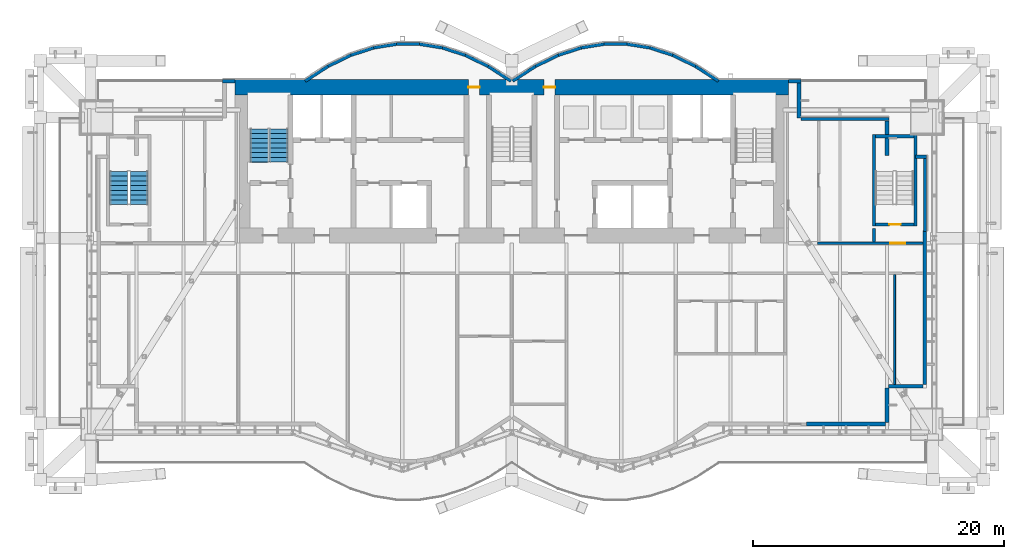
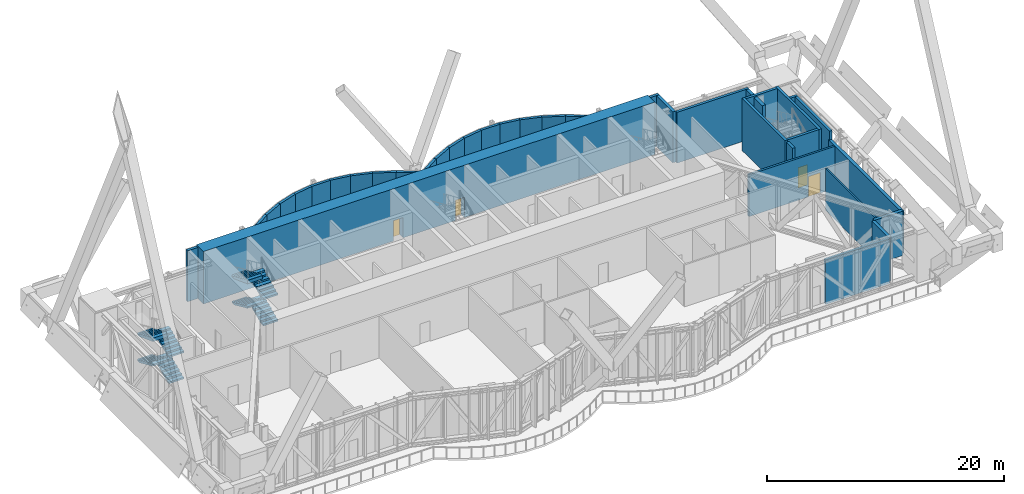
# One storey, part 26 of 31: 37 walls, 8 stair flights, 4 doors, 4 openings, 2 elements without a shape of their own.
"""IFC4 building model written with IfcOpenShell, lengths in metres."""

from ifc_helpers import new_model, si_unit, direction, frame, frame_2d, origin, place, context, subcontext, project, spatial, polyline, rectangle, outline, extrude, material, layer, layer_set, layer_usage, type_object, element, fill, aggregate, save


model = new_model("IFC4")

# Units and contexts
model_context = context("Model", 3, precision=1e-05, world=origin(), true_north=direction((0.0, 1.0)))
body_context = subcontext(model_context, "Body", "Model", "MODEL_VIEW")
ifc_project = project(units=[si_unit("LENGTHUNIT", "METRE"), si_unit("AREAUNIT", "SQUARE_METRE"), si_unit("VOLUMEUNIT", "CUBIC_METRE"), si_unit("PLANEANGLEUNIT", "RADIAN"), si_unit("MASSUNIT", "GRAM", prefix="KILO")], contexts=[model_context])

# Site, building, storey
site_placement = place(None, origin())
site = spatial("IfcSite", under=ifc_project, at=site_placement, CompositionType="ELEMENT")
building_placement = place(site_placement, origin())
building = spatial("IfcBuilding", under=site, at=building_placement, Name="Bicima Exchange Tower", CompositionType="ELEMENT")
storey_placement = place(building_placement, frame((0.0, 0.0, 236.0)))
storey = spatial("IfcBuildingStorey", under=building, at=storey_placement, Name="L53", CompositionType="ELEMENT", Elevation=236.0)

# Wall, opening, door
ifc_material_1 = material(Name="Gypsum board partition")
ifc_layer_1 = layer(ifc_material_1, 0.199951171875)
ifc_layer_set_1 = layer_set([ifc_layer_1], Name="Gypsum board partition")
wall_type_1 = type_object("IfcWallType", Name="Fire-rated gypsum partition 200 EI60", PredefinedType="PARTITIONING", material=ifc_layer_set_1)
wall_1_placement = place(storey_placement, frame((24.300048828125, -13.0, 0.0), z_axis=(0.0, 0.0, 1.0), x_axis=(1.0, 0.0, 0.0)))
wall_1 = element("IfcWall", 1, at=wall_1_placement, inside=storey, type_object=wall_type_1, Name="partition wall 10", PredefinedType="PARTITIONING", context=body_context, shape_type="SweptSolid", body=[
    extrude(rectangle(XDim=8.39990234375, YDim=0.199951171875, at=frame_2d((4.199951171875, 0.0))), origin(), (0.0, 0.0, 1.0), 4.318115234375),
])
opening_1_placement = place(wall_1_placement, frame((5.800048828125, 0.0, 0.0)))
opening_1 = element("IfcOpeningElement", 2, at=opening_1_placement, cuts=wall_1, Name="Opening L53-003", PredefinedType="OPENING", context=body_context, shape_type="SweptSolid", body=[
    extrude(rectangle(XDim=1.199951171875, YDim=2.10009765625, at=frame_2d((0.60009765625, 1.050048828125))), frame((0.0, 0.11181640625, 0.0), z_axis=(0.0, -1.0, 0.0), x_axis=(1.0, 0.0, 0.0)), (0.0, 0.0, 1.0), 0.223876953125),
])
ifc_material_2 = material(Name="Steel fire door leaf", Category="steel")
door_type_1 = type_object("IfcDoorType", Name="Door 1200 swing FD30S", OperationType="SINGLE_SWING_LEFT", PredefinedType="DOOR", material=ifc_material_2)
door_1_placement = place(opening_1_placement, origin())
door_1 = element("IfcDoor", 3, at=door_1_placement, inside=storey, type_object=door_type_1, Name="Door", OperationType="SINGLE_SWING_RIGHT", OverallHeight=2.10009765625, OverallWidth=1.199951171875, PredefinedType="DOOR", context=body_context, shape_type="SweptSolid", body=[
    extrude(rectangle(XDim=1.199951171875, YDim=2.10009765625, at=frame_2d((0.60009765625, 1.050048828125))), frame((0.0, 0.02490234375, 0.0), z_axis=(0.0, -1.0, 0.0), x_axis=(1.0, 0.0, 0.0)), (0.0, 0.0, 1.0), 0.050048828125),
])
fill(opening_1, door_1)

# Wall
ifc_layer_2 = layer(ifc_material_1, 0.14990234375)
ifc_layer_set_2 = layer_set([ifc_layer_2], Name="Gypsum board partition")
wall_type_2 = type_object("IfcWallType", Name="Gypsum partition 150", PredefinedType="PARTITIONING", material=ifc_layer_set_2)
wall_2_placement = place(storey_placement, frame((30.449951171875, -24.22998046875, 0.0), z_axis=(0.0, 0.0, 1.0), x_axis=(0.0, 1.0, 0.0)))
element("IfcWall", 4, at=wall_2_placement, inside=storey, type_object=wall_type_2, Name="partition wall 31", PredefinedType="PARTITIONING", context=body_context, shape_type="SweptSolid", body=[
    extrude(rectangle(XDim=8.72998046875, YDim=0.14990234375, at=frame_2d((4.364990234375, 0.0))), origin(), (0.0, 0.0, 1.0), 4.318115234375),
])

# Wall, openings, doors
ifc_material_3 = material(Name="Concrete C50/60", Category="concrete")
ifc_layer_3 = layer(ifc_material_3, 1.199951171875)
ifc_layer_set_3 = layer_set([ifc_layer_3], Name="Concrete C50/60")
wall_type_3 = type_object("IfcWallType", Name="RC core wall 1200 C50/60", PredefinedType="SHEAR", material=ifc_layer_set_3)
wall_3_placement = place(storey_placement, frame((-22.0, -0.60009765625, 0.0), z_axis=(0.0, 0.0, 1.0), x_axis=(1.0, 0.0, 0.0)))
wall_3 = element("IfcWall", 5, at=wall_3_placement, inside=storey, type_object=wall_type_3, Name="Core wall north", PredefinedType="SHEAR", context=body_context, shape_type="SweptSolid", body=[
    extrude(rectangle(XDim=44.0, YDim=1.199951171875, at=frame_2d((22.0, 0.0))), origin(), (0.0, 0.0, 1.0), 5.39990234375),
])
opening_2_placement = place(wall_3_placement, frame((18.550048828125, 0.0, 0.0)))
opening_2 = element("IfcOpeningElement", 6, at=opening_2_placement, cuts=wall_3, Name="Opening L53-C15", PredefinedType="OPENING", context=body_context, shape_type="SweptSolid", body=[
    extrude(rectangle(XDim=0.89990234375, YDim=2.10009765625, at=frame_2d((0.449951171875, 1.050048828125))), frame((0.0, 0.61181640625, 0.0), z_axis=(0.0, -1.0, 0.0), x_axis=(1.0, 0.0, 0.0)), (0.0, 0.0, 1.0), 1.223876953125),
])
opening_3_placement = place(wall_3_placement, frame((24.550048828125, 0.0, 0.0)))
opening_3 = element("IfcOpeningElement", 7, at=opening_3_placement, cuts=wall_3, Name="Opening L53-C16", PredefinedType="OPENING", context=body_context, shape_type="SweptSolid", body=[
    extrude(rectangle(XDim=0.89990234375, YDim=2.10009765625, at=frame_2d((0.449951171875, 1.050048828125))), frame((0.0, 0.61181640625, 0.0), z_axis=(0.0, -1.0, 0.0), x_axis=(1.0, 0.0, 0.0)), (0.0, 0.0, 1.0), 1.223876953125),
])
door_type_2 = type_object("IfcDoorType", Name="Door 900 swing FD30S", OperationType="SINGLE_SWING_LEFT", PredefinedType="DOOR", material=ifc_material_2)
door_2_placement = place(opening_2_placement, origin())
door_2 = element("IfcDoor", 8, at=door_2_placement, inside=storey, type_object=door_type_2, Name="Core door", OperationType="SINGLE_SWING_LEFT", OverallHeight=2.10009765625, OverallWidth=0.89990234375, PredefinedType="DOOR", context=body_context, shape_type="SweptSolid", body=[
    extrude(rectangle(XDim=0.89990234375, YDim=2.10009765625, at=frame_2d((0.449951171875, 1.050048828125))), frame((0.0, 0.02490234375, 0.0), z_axis=(0.0, -1.0, 0.0), x_axis=(1.0, 0.0, 0.0)), (0.0, 0.0, 1.0), 0.050048828125),
])
fill(opening_2, door_2)
door_3_placement = place(opening_3_placement, origin())
door_3 = element("IfcDoor", 9, at=door_3_placement, inside=storey, type_object=door_type_2, Name="Core door", OperationType="SINGLE_SWING_LEFT", OverallHeight=2.10009765625, OverallWidth=0.89990234375, PredefinedType="DOOR", context=body_context, shape_type="SweptSolid", body=[
    extrude(rectangle(XDim=0.89990234375, YDim=2.10009765625, at=frame_2d((0.449951171875, 1.050048828125))), frame((0.0, 0.02490234375, 0.0), z_axis=(0.0, -1.0, 0.0), x_axis=(1.0, 0.0, 0.0)), (0.0, 0.0, 1.0), 0.050048828125),
])
fill(opening_3, door_3)

# Walls
ifc_layer_4 = layer(ifc_material_3, 0.25)
ifc_layer_set_4 = layer_set([ifc_layer_4], Name="Concrete C50/60")
wall_type_4 = type_object("IfcWallType", Name="RC core wall 250 C50/60", PredefinedType="SHEAR", material=ifc_layer_set_4)
wall_4_placement = place(storey_placement, frame((28.800048828125, -12.89990234375, 0.0), z_axis=(0.0, 0.0, 1.0), x_axis=(0.0, 1.0, 0.0)))
element("IfcWall", 10, at=wall_4_placement, inside=storey, type_object=wall_type_4, Name="stair wall 30", PredefinedType="SHEAR", context=body_context, shape_type="SweptSolid", body=[
    extrude(rectangle(XDim=1.0498046875, YDim=0.25, at=frame_2d((0.52490234375, 0.0))), origin(), (0.0, 0.0, 1.0), 5.39990234375),
])
ifc_layer_5 = layer(ifc_material_3, 0.25)
ifc_layer_set_5 = layer_set([ifc_layer_5], Name="Concrete C50/60")
wall_type_5 = type_object("IfcWallType", Name="RC stair enclosure wall 250 C50/60", PredefinedType="SHEAR", material=ifc_layer_set_5)
wall_5_placement = place(storey_placement, frame((28.800048828125, -11.625, 0.0), z_axis=(0.0, 0.0, 1.0), x_axis=(0.0, 1.0, 0.0)))
element("IfcWall", 11, at=wall_5_placement, inside=storey, type_object=wall_type_5, Name="East end exit stair wall W", PredefinedType="SHEAR", context=body_context, shape_type="SweptSolid", body=[
    extrude(rectangle(XDim=7.25, YDim=0.25, at=frame_2d((3.625, 0.0))), origin(), (0.0, 0.0, 1.0), 5.39990234375),
])
wall_6_placement = place(storey_placement, frame((32.10009765625, -11.625, 0.0), z_axis=(0.0, 0.0, 1.0), x_axis=(0.0, 1.0, 0.0)))
element("IfcWall", 12, at=wall_6_placement, inside=storey, type_object=wall_type_5, Name="East end exit stair wall E", PredefinedType="SHEAR", context=body_context, shape_type="SweptSolid", body=[
    extrude(rectangle(XDim=7.324951171875, YDim=0.25, at=frame_2d((3.66259765625, 0.0))), origin(), (0.0, 0.0, 1.0), 5.39990234375),
])

# Wall, opening, door
wall_7_placement = place(storey_placement, frame((28.925048828125, -11.5, 0.0), z_axis=(0.0, 0.0, 1.0), x_axis=(1.0, 0.0, 0.0)))
wall_7 = element("IfcWall", 13, at=wall_7_placement, inside=storey, type_object=wall_type_5, Name="East end exit stair wall S", PredefinedType="SHEAR", context=body_context, shape_type="SweptSolid", body=[
    extrude(rectangle(XDim=3.050048828125, YDim=0.25, at=frame_2d((1.52490234375, 0.0))), origin(), (0.0, 0.0, 1.0), 5.39990234375),
])
opening_4_placement = place(wall_7_placement, frame((1.10009765625, 0.0, 0.0)))
opening_4 = element("IfcOpeningElement", 14, at=opening_4_placement, cuts=wall_7, Name="Opening L53-004", PredefinedType="OPENING", context=body_context, shape_type="SweptSolid", body=[
    extrude(rectangle(XDim=0.89990234375, YDim=2.10009765625, at=frame_2d((0.449951171875, 1.050048828125))), frame((0.0, 0.136962890625, 0.0), z_axis=(0.0, -1.0, 0.0), x_axis=(1.0, 0.0, 0.0)), (0.0, 0.0, 1.0), 0.27392578125),
])
door_type_3 = type_object("IfcDoorType", Name="Door 900 swing FD60S", OperationType="SINGLE_SWING_LEFT", PredefinedType="DOOR", material=ifc_material_2)
door_4_placement = place(opening_4_placement, origin())
door_4 = element("IfcDoor", 15, at=door_4_placement, inside=storey, type_object=door_type_3, Name="Door", OperationType="SINGLE_SWING_LEFT", OverallHeight=2.10009765625, OverallWidth=0.89990234375, PredefinedType="DOOR", context=body_context, shape_type="SweptSolid", body=[
    extrude(rectangle(XDim=0.89990234375, YDim=2.10009765625, at=frame_2d((0.449951171875, 1.050048828125))), frame((0.0, 0.02490234375, 0.0), z_axis=(0.0, -1.0, 0.0), x_axis=(1.0, 0.0, 0.0)), (0.0, 0.0, 1.0), 0.050048828125),
])
fill(opening_4, door_4)

# Walls
wall_8_placement = place(storey_placement, frame((28.925048828125, -4.5, 0.0), z_axis=(0.0, 0.0, 1.0), x_axis=(1.0, 0.0, 0.0)))
element("IfcWall", 16, at=wall_8_placement, inside=storey, type_object=wall_type_5, Name="East end exit stair wall N", PredefinedType="SHEAR", context=body_context, shape_type="SweptSolid", body=[
    extrude(rectangle(XDim=3.050048828125, YDim=0.25, at=frame_2d((1.52490234375, 0.0))), origin(), (0.0, 0.0, 1.0), 5.39990234375),
])
ifc_material_4 = material(Name="Concrete C40/50", Category="concrete")
ifc_layer_6 = layer(ifc_material_4, 0.25)
ifc_layer_set_6 = layer_set([ifc_layer_6], Name="Concrete C40/50")
ifc_layer_usage_1 = layer_usage(ifc_layer_set_6, "AXIS2", "POSITIVE", -0.125)
wall_type_6 = type_object("IfcWallType", Name="Rear backup wall 250", PredefinedType="STANDARD", material=ifc_layer_set_6)
wall_9_placement = place(storey_placement, frame((32.875, -12.090087890625, 0.0), z_axis=(0.0, 0.0, 1.0), x_axis=(0.0, 1.0, 0.0)))
element("IfcWall", 17, at=wall_9_placement, inside=storey, type_object=wall_type_6, material=ifc_layer_usage_1, Name="Rear backup wall L53 2", PredefinedType="STANDARD", context=body_context, shape_type="SweptSolid", body=[
    extrude(rectangle(XDim=6.090087890625, YDim=0.25, at=frame_2d((3.044921875, 0.0))), origin(), (0.0, 0.0, 1.0), 5.25),
])
wall_10_placement = place(storey_placement, frame((33.0, -6.125, 0.0), z_axis=(0.0, 0.0, 1.0), x_axis=(-1.0, 0.0, 0.0)))
element("IfcWall", 18, at=wall_10_placement, inside=storey, type_object=wall_type_6, material=ifc_layer_usage_1, Name="Rear backup wall L53 3", PredefinedType="STANDARD", context=body_context, shape_type="SweptSolid", body=[
    extrude(rectangle(XDim=0.889892578125, YDim=0.25, at=frame_2d((0.44482421875, 0.0))), origin(), (0.0, 0.0, 1.0), 5.25),
])
wall_11_placement = place(storey_placement, frame((30.0, -3.125, 0.0), z_axis=(0.0, 0.0, 1.0), x_axis=(-1.0, 0.0, 0.0)))
element("IfcWall", 19, at=wall_11_placement, inside=storey, type_object=wall_type_6, material=ifc_layer_usage_1, Name="Rear backup wall L53 5", PredefinedType="STANDARD", context=body_context, shape_type="SweptSolid", body=[
    extrude(rectangle(XDim=7.0, YDim=0.25, at=frame_2d((3.5, 0.0))), origin(), (0.0, 0.0, 1.0), 5.25),
])
wall_12_placement = place(storey_placement, frame((23.0, -0.125, 0.0), z_axis=(0.0, 0.0, 1.0), x_axis=(-1.0, 0.0, 0.0)))
element("IfcWall", 20, at=wall_12_placement, inside=storey, type_object=wall_type_6, material=ifc_layer_usage_1, Name="Rear backup wall L53 7", PredefinedType="STANDARD", context=body_context, shape_type="SweptSolid", body=[
    extrude(rectangle(XDim=1.0, YDim=0.25, at=frame_2d((0.5, 0.0))), origin(), (0.0, 0.0, 1.0), 5.25),
])
wall_13_placement = place(storey_placement, frame((16.43212890625, -0.10498046875, 0.0), z_axis=(0.0, 0.0, 1.0), x_axis=(-0.83981312244, 0.542875602121, 0.0)))
element("IfcWall", 21, at=wall_13_placement, inside=storey, type_object=wall_type_6, material=ifc_layer_usage_1, Name="Rear backup wall L53 8", PredefinedType="STANDARD", context=body_context, shape_type="SweptSolid", body=[
    extrude(rectangle(XDim=2.182861328125, YDim=0.25, at=frame_2d((1.09130859375, 0.0))), origin(), (0.0, 0.0, 1.0), 5.25),
])
wall_14_placement = place(storey_placement, frame((14.6123046875, 1.07275390625, 0.0), z_axis=(0.0, 0.0, 1.0), x_axis=(-0.89982408427, 0.436252928206, 0.0)))
element("IfcWall", 22, at=wall_14_placement, inside=storey, type_object=wall_type_6, material=ifc_layer_usage_1, Name="Rear backup wall L53 9", PredefinedType="STANDARD", context=body_context, shape_type="SweptSolid", body=[
    extrude(rectangle(XDim=2.03759765625, YDim=0.25, at=frame_2d((1.018798828125, 0.0))), origin(), (0.0, 0.0, 1.0), 5.25),
])
wall_15_placement = place(storey_placement, frame((12.794921875, 1.955078125, 0.0), z_axis=(0.0, 0.0, 1.0), x_axis=(-0.951495806175, 0.307661714928, 0.0)))
element("IfcWall", 23, at=wall_15_placement, inside=storey, type_object=wall_type_6, material=ifc_layer_usage_1, Name="Rear backup wall L53 10", PredefinedType="STANDARD", context=body_context, shape_type="SweptSolid", body=[
    extrude(rectangle(XDim=1.9267578125, YDim=0.25, at=frame_2d((0.96337890625, 0.0))), origin(), (0.0, 0.0, 1.0), 5.25),
])
wall_16_placement = place(storey_placement, frame((10.97998046875, 2.543212890625, 0.0), z_axis=(0.0, 0.0, 1.0), x_axis=(-0.987181718931, 0.159600293885, 0.0)))
element("IfcWall", 24, at=wall_16_placement, inside=storey, type_object=wall_type_6, material=ifc_layer_usage_1, Name="Rear backup wall L53 11", PredefinedType="STANDARD", context=body_context, shape_type="SweptSolid", body=[
    extrude(rectangle(XDim=1.857177734375, YDim=0.25, at=frame_2d((0.9287109375, 0.0))), origin(), (0.0, 0.0, 1.0), 5.25),
])
wall_17_placement = place(storey_placement, frame((9.166748046875, 2.837890625, 0.0), z_axis=(0.0, 0.0, 1.0), x_axis=(-1.0, 0.0, 0.0)))
element("IfcWall", 25, at=wall_17_placement, inside=storey, type_object=wall_type_6, material=ifc_layer_usage_1, Name="Rear backup wall L53 12", PredefinedType="STANDARD", context=body_context, shape_type="SweptSolid", body=[
    extrude(rectangle(XDim=1.83349609375, YDim=0.25, at=frame_2d((0.916748046875, 0.0))), origin(), (0.0, 0.0, 1.0), 5.25),
])
wall_18_placement = place(storey_placement, frame((7.353271484375, 2.839599609375, 0.0), z_axis=(0.0, 0.0, 1.0), x_axis=(-0.987181718931, -0.159600293885, 0.0)))
element("IfcWall", 26, at=wall_18_placement, inside=storey, type_object=wall_type_6, material=ifc_layer_usage_1, Name="Rear backup wall L53 13", PredefinedType="STANDARD", context=body_context, shape_type="SweptSolid", body=[
    extrude(rectangle(XDim=1.857177734375, YDim=0.25, at=frame_2d((0.9287109375, 0.0))), origin(), (0.0, 0.0, 1.0), 5.25),
])
wall_19_placement = place(storey_placement, frame((5.538330078125, 2.5478515625, 0.0), z_axis=(0.0, 0.0, 1.0), x_axis=(-0.951495806175, -0.307661714928, 0.0)))
element("IfcWall", 27, at=wall_19_placement, inside=storey, type_object=wall_type_6, material=ifc_layer_usage_1, Name="Rear backup wall L53 14", PredefinedType="STANDARD", context=body_context, shape_type="SweptSolid", body=[
    extrude(rectangle(XDim=1.9267578125, YDim=0.25, at=frame_2d((0.96337890625, 0.0))), origin(), (0.0, 0.0, 1.0), 5.25),
])
wall_20_placement = place(storey_placement, frame((3.72119140625, 1.961669921875, 0.0), z_axis=(0.0, 0.0, 1.0), x_axis=(-0.89982408427, -0.436252928206, 0.0)))
element("IfcWall", 28, at=wall_20_placement, inside=storey, type_object=wall_type_6, material=ifc_layer_usage_1, Name="Rear backup wall L53 15", PredefinedType="STANDARD", context=body_context, shape_type="SweptSolid", body=[
    extrude(rectangle(XDim=2.03759765625, YDim=0.25, at=frame_2d((1.018798828125, 0.0))), origin(), (0.0, 0.0, 1.0), 5.25),
])
for number, where, z_axis, x_axis, name in (
    (29, (1.901123046875, 1.080078125, 0.0), (0.0, 0.0, 1.0), (-0.83981312244, -0.542875602121, 0.0), "Rear backup wall L53 16"),
    (30, (-0.06787109375, -0.10498046875, 0.0), (0.0, 0.0, 1.0), (-0.83981312244, 0.542875602121, 0.0), "Rear backup wall L53 17"),
):
    element("IfcWall", number, at=place(storey_placement, frame(where, z_axis=z_axis, x_axis=x_axis)), inside=storey, type_object=wall_type_6, material=ifc_layer_usage_1, Name=name, PredefinedType="STANDARD", context=body_context, shape_type="SweptSolid", body=[
        extrude(rectangle(XDim=2.182861328125, YDim=0.25, at=frame_2d((1.09130859375, 0.0))), origin(), (0.0, 0.0, 1.0), 5.25),
    ])
wall_21_placement = place(storey_placement, frame((-1.8876953125, 1.07275390625, 0.0), z_axis=(0.0, 0.0, 1.0), x_axis=(-0.89982408427, 0.436252928206, 0.0)))
element("IfcWall", 31, at=wall_21_placement, inside=storey, type_object=wall_type_6, material=ifc_layer_usage_1, Name="Rear backup wall L53 18", PredefinedType="STANDARD", context=body_context, shape_type="SweptSolid", body=[
    extrude(rectangle(XDim=2.03759765625, YDim=0.25, at=frame_2d((1.018798828125, 0.0))), origin(), (0.0, 0.0, 1.0), 5.25),
])
wall_22_placement = place(storey_placement, frame((-3.705078125, 1.955078125, 0.0), z_axis=(0.0, 0.0, 1.0), x_axis=(-0.951495806175, 0.307661714928, 0.0)))
element("IfcWall", 32, at=wall_22_placement, inside=storey, type_object=wall_type_6, material=ifc_layer_usage_1, Name="Rear backup wall L53 19", PredefinedType="STANDARD", context=body_context, shape_type="SweptSolid", body=[
    extrude(rectangle(XDim=1.9267578125, YDim=0.25, at=frame_2d((0.96337890625, 0.0))), origin(), (0.0, 0.0, 1.0), 5.25),
])
wall_23_placement = place(storey_placement, frame((-5.52001953125, 2.543212890625, 0.0), z_axis=(0.0, 0.0, 1.0), x_axis=(-0.987181718931, 0.159600293885, 0.0)))
element("IfcWall", 33, at=wall_23_placement, inside=storey, type_object=wall_type_6, material=ifc_layer_usage_1, Name="Rear backup wall L53 20", PredefinedType="STANDARD", context=body_context, shape_type="SweptSolid", body=[
    extrude(rectangle(XDim=1.857177734375, YDim=0.25, at=frame_2d((0.9287109375, 0.0))), origin(), (0.0, 0.0, 1.0), 5.25),
])
wall_24_placement = place(storey_placement, frame((-7.333251953125, 2.837890625, 0.0), z_axis=(0.0, 0.0, 1.0), x_axis=(-1.0, 0.0, 0.0)))
element("IfcWall", 34, at=wall_24_placement, inside=storey, type_object=wall_type_6, material=ifc_layer_usage_1, Name="Rear backup wall L53 21", PredefinedType="STANDARD", context=body_context, shape_type="SweptSolid", body=[
    extrude(rectangle(XDim=1.83349609375, YDim=0.25, at=frame_2d((0.916748046875, 0.0))), origin(), (0.0, 0.0, 1.0), 5.25),
])
wall_25_placement = place(storey_placement, frame((-9.146728515625, 2.839599609375, 0.0), z_axis=(0.0, 0.0, 1.0), x_axis=(-0.987181718931, -0.159600293885, 0.0)))
element("IfcWall", 35, at=wall_25_placement, inside=storey, type_object=wall_type_6, material=ifc_layer_usage_1, Name="Rear backup wall L53 22", PredefinedType="STANDARD", context=body_context, shape_type="SweptSolid", body=[
    extrude(rectangle(XDim=1.857177734375, YDim=0.25, at=frame_2d((0.9287109375, 0.0))), origin(), (0.0, 0.0, 1.0), 5.25),
])
wall_26_placement = place(storey_placement, frame((-10.961669921875, 2.5478515625, 0.0), z_axis=(0.0, 0.0, 1.0), x_axis=(-0.951495806175, -0.307661714928, 0.0)))
element("IfcWall", 36, at=wall_26_placement, inside=storey, type_object=wall_type_6, material=ifc_layer_usage_1, Name="Rear backup wall L53 23", PredefinedType="STANDARD", context=body_context, shape_type="SweptSolid", body=[
    extrude(rectangle(XDim=1.9267578125, YDim=0.25, at=frame_2d((0.96337890625, 0.0))), origin(), (0.0, 0.0, 1.0), 5.25),
])
wall_27_placement = place(storey_placement, frame((-12.77880859375, 1.961669921875, 0.0), z_axis=(0.0, 0.0, 1.0), x_axis=(-0.89982408427, -0.436252928206, 0.0)))
element("IfcWall", 37, at=wall_27_placement, inside=storey, type_object=wall_type_6, material=ifc_layer_usage_1, Name="Rear backup wall L53 24", PredefinedType="STANDARD", context=body_context, shape_type="SweptSolid", body=[
    extrude(rectangle(XDim=2.03759765625, YDim=0.25, at=frame_2d((1.018798828125, 0.0))), origin(), (0.0, 0.0, 1.0), 5.25),
])
wall_28_placement = place(storey_placement, frame((-14.598876953125, 1.080078125, 0.0), z_axis=(0.0, 0.0, 1.0), x_axis=(-0.83981312244, -0.542875602121, 0.0)))
element("IfcWall", 38, at=wall_28_placement, inside=storey, type_object=wall_type_6, material=ifc_layer_usage_1, Name="Rear backup wall L53 25", PredefinedType="STANDARD", context=body_context, shape_type="SweptSolid", body=[
    extrude(rectangle(XDim=2.182861328125, YDim=0.25, at=frame_2d((1.09130859375, 0.0))), origin(), (0.0, 0.0, 1.0), 5.25),
])
wall_29_placement = place(storey_placement, frame((-22.0, -0.125, 0.0), z_axis=(0.0, 0.0, 1.0), x_axis=(-1.0, 0.0, 0.0)))
element("IfcWall", 39, at=wall_29_placement, inside=storey, type_object=wall_type_6, material=ifc_layer_usage_1, Name="Rear backup wall L53 26", PredefinedType="STANDARD", context=body_context, shape_type="SweptSolid", body=[
    extrude(rectangle(XDim=1.0, YDim=0.25, at=frame_2d((0.5, 0.0))), origin(), (0.0, 0.0, 1.0), 5.25),
])
ifc_layer_7 = layer(ifc_material_4, 0.3)
ifc_layer_set_7 = layer_set([ifc_layer_7], Name="Concrete C40/50")
ifc_layer_usage_2 = layer_usage(ifc_layer_set_7, "AXIS2", "POSITIVE", -0.15)
wall_type_7 = type_object("IfcWallType", Name="Refuge band wall 300", PredefinedType="STANDARD", material=ifc_layer_set_7)
wall_30_placement = place(storey_placement, frame((32.85009765625, -24.256103515625, 0.0), z_axis=(0.0, 0.0, 1.0), x_axis=(0.0, 1.0, 0.0)))
element("IfcWall", 40, at=wall_30_placement, inside=storey, type_object=wall_type_7, material=ifc_layer_usage_2, Name="Refuge band wall L53", PredefinedType="STANDARD", context=body_context, shape_type="SweptSolid", body=[
    extrude(rectangle(XDim=12.256103515625, YDim=0.300048828125, at=frame_2d((6.1279296875, 0.0))), origin(), (0.0, 0.0, 1.0), 4.338134765625),
])
for number, where, z_axis, x_axis, name in (
    (41, (29.85009765625, -6.024169921875, 0.0), (0.0, 0.0, 1.0), (0.0, 1.0, 0.0), "Refuge band wall L53"),
    (42, (22.85009765625, -3.024169921875, 0.0), (0.0, 0.0, 1.0), (0.0, 1.0, 0.0), "Refuge band wall L53"),
):
    element("IfcWall", number, at=place(storey_placement, frame(where, z_axis=z_axis, x_axis=x_axis)), inside=storey, type_object=wall_type_7, material=ifc_layer_usage_2, Name=name, PredefinedType="STANDARD", context=body_context, shape_type="SweptSolid", body=[
        extrude(rectangle(XDim=2.748291015625, YDim=0.300048828125, at=frame_2d((1.3740234375, 0.0))), origin(), (0.0, 0.0, 1.0), 5.25),
    ])
wall_31_placement = place(storey_placement, frame((23.449951171875, -27.382080078125, 0.0), z_axis=(0.0, 0.0, 1.0), x_axis=(1.0, 0.0, 0.0)))
element("IfcWall", 43, at=wall_31_placement, inside=storey, type_object=wall_type_7, material=ifc_layer_usage_2, Name="Refuge band wall L53", PredefinedType="STANDARD", context=body_context, shape_type="SweptSolid", body=[
    extrude(rectangle(XDim=6.274169921875, YDim=0.300048828125, at=frame_2d((3.13720703125, 0.0))), origin(), (0.0, 0.0, 1.0), 4.57177734375),
])
for number, where, z_axis, x_axis, name in (
    (44, (29.85009765625, -27.256103515625, 0.0), (0.0, 0.0, 1.0), (0.0, 1.0, 0.0), "Refuge band wall L53"),
    (45, (29.975830078125, -24.382080078125, 0.0), (0.0, 0.0, 1.0), (1.0, 0.0, 0.0), "Refuge band wall L53"),
):
    element("IfcWall", number, at=place(storey_placement, frame(where, z_axis=z_axis, x_axis=x_axis)), inside=storey, type_object=wall_type_7, material=ifc_layer_usage_2, Name=name, PredefinedType="STANDARD", context=body_context, shape_type="SweptSolid", body=[
        extrude(rectangle(XDim=2.748291015625, YDim=0.300048828125, at=frame_2d((1.3740234375, 0.0))), origin(), (0.0, 0.0, 1.0), 4.57177734375),
    ])

# Stair, stair flights
stair_type = type_object("IfcStairType", Name="Exit stair", PredefinedType="HALF_TURN_STAIR", material=ifc_material_3)
stair_1_placement = place(storey_placement, origin())
stair_1 = element("IfcStair", 46, at=stair_1_placement, inside=storey, type_object=stair_type, Name="L53 West exit stair", PredefinedType="HALF_TURN_STAIR")
stair_flight_type = type_object("IfcStairFlightType", Name="Stair flight RC", PredefinedType="STRAIGHT", material=ifc_material_3)
stair_flight_1_placement = place(storey_placement, frame((-18.52490234375, -6.550048828125, 0.0), z_axis=(0.0, 0.0, 1.0), x_axis=(0.0, 1.0, 0.0)))
stair_flight_1 = element("IfcStairFlight", 47, at=stair_flight_1_placement, type_object=stair_flight_type, Name="ST-W flight 1", NumberOfRisers=8, NumberOfTreads=7, PredefinedType="STRAIGHT", RiserHeight=0.16875, TreadLength=0.375714286, context=body_context, shape_type="SweptSolid", body=[
    extrude(outline(polyline([(0.0, 0.0), (0.0, 0.168701171875), (0.375732421875, 0.168701171875), (0.375732421875, 0.33740234375), (0.75146484375, 0.33740234375), (0.75146484375, 0.50634765625), (1.127197265625, 0.50634765625), (1.127197265625, 0.675048828125), (1.5029296875, 0.675048828125), (1.5029296875, 0.84375), (1.878662109375, 0.84375), (1.878662109375, 1.012451171875), (2.25439453125, 1.012451171875), (2.25439453125, 1.18115234375), (2.6298828125, 1.18115234375), (2.6298828125, 1.35009765625), (2.6298828125, 1.016845703125), (0.365966796875, 0.0), (0.0, 0.0)])), frame((0.0, 0.72509765625, 0.0), z_axis=(0.0, -1.0, 0.0), x_axis=(1.0, 0.0, 0.0)), (0.0, 0.0, 1.0), 1.449951171875),
])
stair_flight_2_placement = place(storey_placement, frame((-20.074951171875, -3.919921875, 1.35009765625), z_axis=(0.0, 0.0, 1.0), x_axis=(0.0, -1.0, 0.0)))
stair_flight_2 = element("IfcStairFlight", 48, at=stair_flight_2_placement, type_object=stair_flight_type, Name="ST-W flight 2", NumberOfRisers=8, NumberOfTreads=7, PredefinedType="STRAIGHT", RiserHeight=0.16875, TreadLength=0.375714286, context=body_context, shape_type="SweptSolid", body=[
    extrude(outline(polyline([(0.0, 0.0), (0.0, 0.168701171875), (0.375732421875, 0.168701171875), (0.375732421875, 0.33740234375), (0.75146484375, 0.33740234375), (0.75146484375, 0.50634765625), (1.127197265625, 0.50634765625), (1.127197265625, 0.675048828125), (1.5029296875, 0.675048828125), (1.5029296875, 0.84375), (1.878662109375, 0.84375), (1.878662109375, 1.012451171875), (2.25439453125, 1.012451171875), (2.25439453125, 1.18115234375), (2.6298828125, 1.18115234375), (2.6298828125, 1.35009765625), (2.6298828125, 1.016845703125), (0.365966796875, 0.0), (0.0, 0.0)])), frame((0.0, 0.72509765625, 0.0), z_axis=(0.0, -1.0, 0.0), x_axis=(1.0, 0.0, 0.0)), (0.0, 0.0, 1.0), 1.449951171875),
])
stair_flight_3_placement = place(storey_placement, frame((-18.52490234375, -6.550048828125, 2.699951171875), z_axis=(0.0, 0.0, 1.0), x_axis=(0.0, 1.0, 0.0)))
stair_flight_3 = element("IfcStairFlight", 49, at=stair_flight_3_placement, type_object=stair_flight_type, Name="ST-W flight 3", NumberOfRisers=8, NumberOfTreads=7, PredefinedType="STRAIGHT", RiserHeight=0.16875, TreadLength=0.375714286, context=body_context, shape_type="SweptSolid", body=[
    extrude(outline(polyline([(0.0, 0.0), (0.0, 0.168701171875), (0.375732421875, 0.168701171875), (0.375732421875, 0.33740234375), (0.75146484375, 0.33740234375), (0.75146484375, 0.50634765625), (1.127197265625, 0.50634765625), (1.127197265625, 0.675048828125), (1.5029296875, 0.675048828125), (1.5029296875, 0.84375), (1.878662109375, 0.84375), (1.878662109375, 1.012451171875), (2.25439453125, 1.012451171875), (2.25439453125, 1.18115234375), (2.6298828125, 1.18115234375), (2.6298828125, 1.35009765625), (2.6298828125, 1.016845703125), (0.365966796875, 0.0), (0.0, 0.0)])), frame((0.0, 0.72509765625, 0.0), z_axis=(0.0, -1.0, 0.0), x_axis=(1.0, 0.0, 0.0)), (0.0, 0.0, 1.0), 1.449951171875),
])
stair_flight_4_placement = place(storey_placement, frame((-20.074951171875, -3.919921875, 4.050048828125), z_axis=(0.0, 0.0, 1.0), x_axis=(0.0, -1.0, 0.0)))
stair_flight_4 = element("IfcStairFlight", 50, at=stair_flight_4_placement, type_object=stair_flight_type, Name="ST-W flight 4", NumberOfRisers=8, NumberOfTreads=7, PredefinedType="STRAIGHT", RiserHeight=0.16875, TreadLength=0.375714286, context=body_context, shape_type="SweptSolid", body=[
    extrude(outline(polyline([(0.0, 0.0), (0.0, 0.168701171875), (0.375732421875, 0.168701171875), (0.375732421875, 0.33740234375), (0.75146484375, 0.33740234375), (0.75146484375, 0.50634765625), (1.127197265625, 0.50634765625), (1.127197265625, 0.675048828125), (1.5029296875, 0.675048828125), (1.5029296875, 0.84375), (1.878662109375, 0.84375), (1.878662109375, 1.012451171875), (2.25439453125, 1.012451171875), (2.25439453125, 1.18115234375), (2.6298828125, 1.18115234375), (2.6298828125, 1.2041015625), (2.64501953125, 1.2041015625), (2.64501953125, 0.85498046875), (0.365966796875, 0.0), (0.0, 0.0)])), frame((0.0, 0.72509765625, 0.0), z_axis=(0.0, -1.0, 0.0), x_axis=(1.0, 0.0, 0.0)), (0.0, 0.0, 1.0), 1.449951171875),
])
aggregate(stair_1, [stair_flight_1, stair_flight_2, stair_flight_3, stair_flight_4])

stair_2_placement = place(storey_placement, origin())
stair_2 = element("IfcStair", 51, at=stair_2_placement, inside=storey, type_object=stair_type, Name="L53 West end exit stair", PredefinedType="HALF_TURN_STAIR")
stair_flight_5_placement = place(storey_placement, frame((-29.64990234375, -9.925048828125, 0.0), z_axis=(0.0, 0.0, 1.0), x_axis=(0.0, 1.0, 0.0)))
stair_flight_5 = element("IfcStairFlight", 52, at=stair_flight_5_placement, type_object=stair_flight_type, Name="ST-WW flight 1", NumberOfRisers=8, NumberOfTreads=7, PredefinedType="STRAIGHT", RiserHeight=0.16875, TreadLength=0.375714286, context=body_context, shape_type="SweptSolid", body=[
    extrude(outline(polyline([(0.0, 0.0), (0.0, 0.168701171875), (0.375732421875, 0.168701171875), (0.375732421875, 0.33740234375), (0.75146484375, 0.33740234375), (0.75146484375, 0.50634765625), (1.127197265625, 0.50634765625), (1.127197265625, 0.675048828125), (1.5029296875, 0.675048828125), (1.5029296875, 0.84375), (1.878662109375, 0.84375), (1.878662109375, 1.012451171875), (2.25439453125, 1.012451171875), (2.25439453125, 1.18115234375), (2.6298828125, 1.18115234375), (2.6298828125, 1.35009765625), (2.6298828125, 1.016845703125), (0.365966796875, 0.0), (0.0, 0.0)])), frame((0.0, 0.72509765625, 0.0), z_axis=(0.0, -1.0, 0.0), x_axis=(1.0, 0.0, 0.0)), (0.0, 0.0, 1.0), 1.449951171875),
])
stair_flight_6_placement = place(storey_placement, frame((-31.25, -7.294921875, 1.35009765625), z_axis=(0.0, 0.0, 1.0), x_axis=(0.0, -1.0, 0.0)))
stair_flight_6 = element("IfcStairFlight", 53, at=stair_flight_6_placement, type_object=stair_flight_type, Name="ST-WW flight 2", NumberOfRisers=8, NumberOfTreads=7, PredefinedType="STRAIGHT", RiserHeight=0.16875, TreadLength=0.375714286, context=body_context, shape_type="SweptSolid", body=[
    extrude(outline(polyline([(0.0, 0.0), (0.0, 0.168701171875), (0.375732421875, 0.168701171875), (0.375732421875, 0.33740234375), (0.75146484375, 0.33740234375), (0.75146484375, 0.50634765625), (1.127197265625, 0.50634765625), (1.127197265625, 0.675048828125), (1.5029296875, 0.675048828125), (1.5029296875, 0.84375), (1.878662109375, 0.84375), (1.878662109375, 1.012451171875), (2.25439453125, 1.012451171875), (2.25439453125, 1.18115234375), (2.6298828125, 1.18115234375), (2.6298828125, 1.35009765625), (2.6298828125, 1.016845703125), (0.365966796875, 0.0), (0.0, 0.0)])), frame((0.0, 0.72509765625, 0.0), z_axis=(0.0, -1.0, 0.0), x_axis=(1.0, 0.0, 0.0)), (0.0, 0.0, 1.0), 1.449951171875),
])
stair_flight_7_placement = place(storey_placement, frame((-29.64990234375, -9.925048828125, 2.699951171875), z_axis=(0.0, 0.0, 1.0), x_axis=(0.0, 1.0, 0.0)))
stair_flight_7 = element("IfcStairFlight", 54, at=stair_flight_7_placement, type_object=stair_flight_type, Name="ST-WW flight 3", NumberOfRisers=8, NumberOfTreads=7, PredefinedType="STRAIGHT", RiserHeight=0.16875, TreadLength=0.375714286, context=body_context, shape_type="SweptSolid", body=[
    extrude(outline(polyline([(0.0, 0.0), (0.0, 0.168701171875), (0.375732421875, 0.168701171875), (0.375732421875, 0.33740234375), (0.75146484375, 0.33740234375), (0.75146484375, 0.50634765625), (1.127197265625, 0.50634765625), (1.127197265625, 0.675048828125), (1.5029296875, 0.675048828125), (1.5029296875, 0.84375), (1.878662109375, 0.84375), (1.878662109375, 1.012451171875), (2.25439453125, 1.012451171875), (2.25439453125, 1.18115234375), (2.6298828125, 1.18115234375), (2.6298828125, 1.35009765625), (2.6298828125, 1.016845703125), (0.365966796875, 0.0), (0.0, 0.0)])), frame((0.0, 0.72509765625, 0.0), z_axis=(0.0, -1.0, 0.0), x_axis=(1.0, 0.0, 0.0)), (0.0, 0.0, 1.0), 1.449951171875),
])
stair_flight_8_placement = place(storey_placement, frame((-31.25, -7.294921875, 4.050048828125), z_axis=(0.0, 0.0, 1.0), x_axis=(0.0, -1.0, 0.0)))
stair_flight_8 = element("IfcStairFlight", 55, at=stair_flight_8_placement, type_object=stair_flight_type, Name="ST-WW flight 4", NumberOfRisers=8, NumberOfTreads=7, PredefinedType="STRAIGHT", RiserHeight=0.16875, TreadLength=0.375714286, context=body_context, shape_type="SweptSolid", body=[
    extrude(outline(polyline([(0.0, 0.0), (0.0, 0.168701171875), (0.375732421875, 0.168701171875), (0.375732421875, 0.33740234375), (0.75146484375, 0.33740234375), (0.75146484375, 0.50634765625), (1.127197265625, 0.50634765625), (1.127197265625, 0.675048828125), (1.5029296875, 0.675048828125), (1.5029296875, 0.84375), (1.878662109375, 0.84375), (1.878662109375, 1.012451171875), (2.25439453125, 1.012451171875), (2.25439453125, 1.18115234375), (2.6298828125, 1.18115234375), (2.6298828125, 1.2041015625), (2.64501953125, 1.2041015625), (2.64501953125, 0.85498046875), (0.365966796875, 0.0), (0.0, 0.0)])), frame((0.0, 0.72509765625, 0.0), z_axis=(0.0, -1.0, 0.0), x_axis=(1.0, 0.0, 0.0)), (0.0, 0.0, 1.0), 1.449951171875),
])
aggregate(stair_2, [stair_flight_5, stair_flight_6, stair_flight_7, stair_flight_8])

save(model, "model.ifc")
